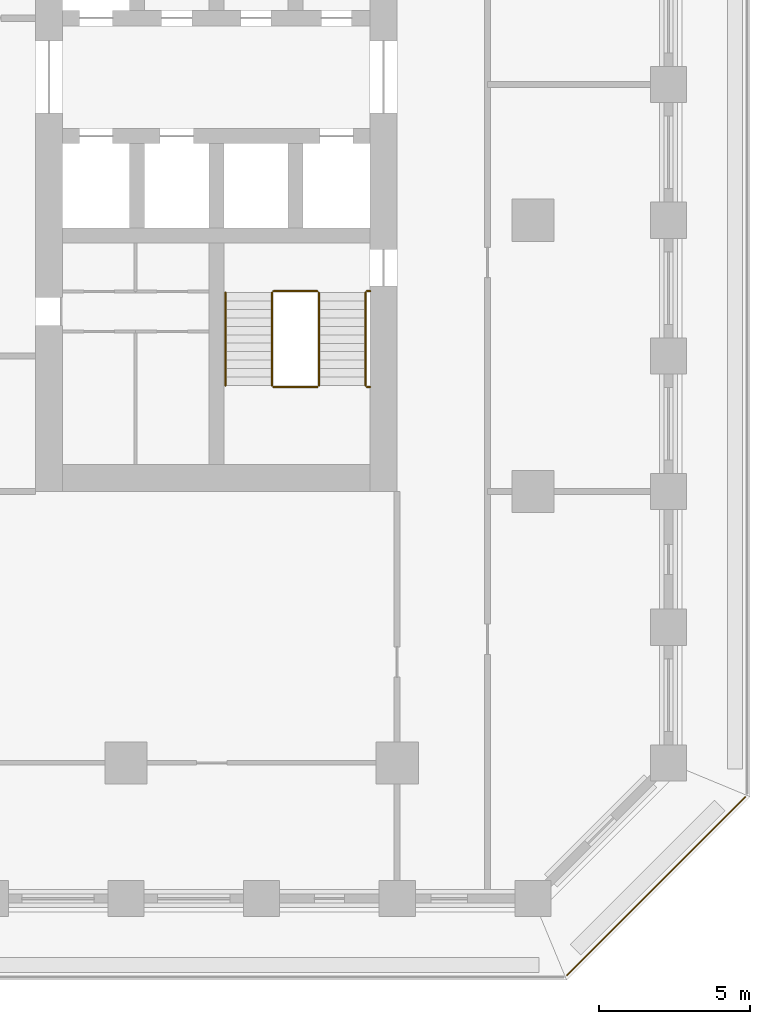
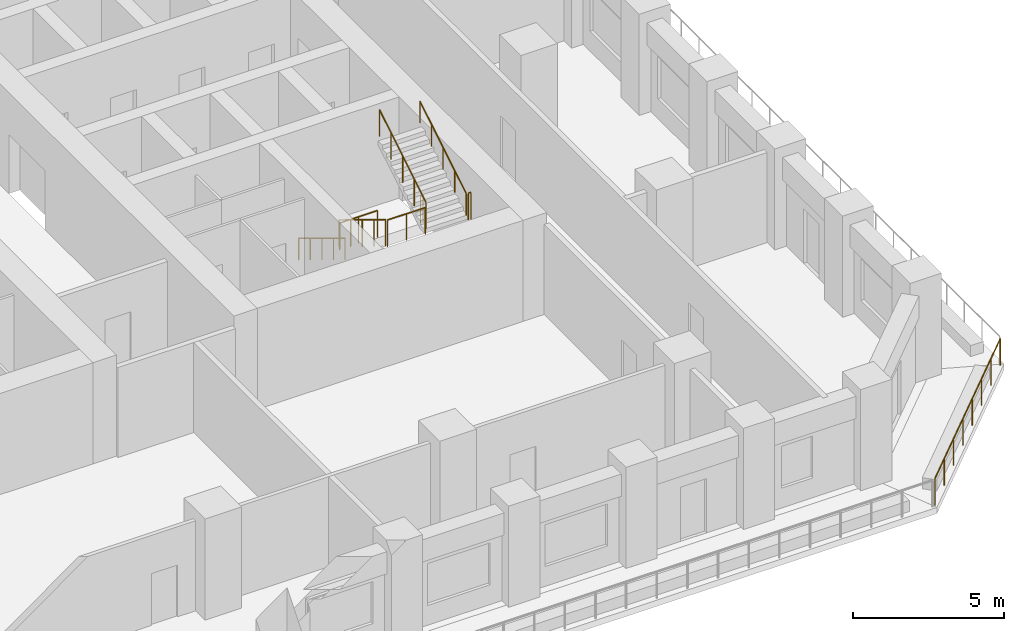
# One storey, part 11 of 16: 9 railings.
"""IFC4 building model written with IfcOpenShell, lengths in metres."""

from ifc_helpers import new_model, si_unit, direction, frame, origin, origin_2d, place, context, subcontext, project, spatial, circle, extrude, material, type_object, element, save


model = new_model("IFC4")

# Units and contexts
model_context = context("Model", 3, precision=1e-05, world=origin(), true_north=direction((0.0, 1.0)))
body_context = subcontext(model_context, "Body", "Model", "MODEL_VIEW")
ifc_project = project(units=[si_unit("LENGTHUNIT", "METRE"), si_unit("AREAUNIT", "SQUARE_METRE"), si_unit("VOLUMEUNIT", "CUBIC_METRE"), si_unit("PLANEANGLEUNIT", "RADIAN"), si_unit("MASSUNIT", "GRAM", prefix="KILO")], contexts=[model_context])

# Site, building, storey
site_placement = place(None, origin())
site = spatial("IfcSite", under=ifc_project, at=site_placement, CompositionType="ELEMENT")
building_placement = place(site_placement, origin())
building = spatial("IfcBuilding", under=site, at=building_placement, Name="Corbel Stack Research Tower", CompositionType="ELEMENT")
storey_placement = place(building_placement, frame((0.0, 0.0, 137.199951171875)))
storey = spatial("IfcBuildingStorey", under=building, at=storey_placement, Name="L31", CompositionType="ELEMENT", Elevation=137.199951171875)

# Railings
ifc_material_1 = material(Name="Steel S355", Category="steel")
railing_type_1 = type_object("IfcRailingType", Name="Stair guard 1100", PredefinedType="GUARDRAIL", material=ifc_material_1)
railing_1_placement = place(storey_placement, frame((13.85009765625, -2.39990234375, 0.1708984375)))
element("IfcRailing", 1, at=railing_1_placement, inside=storey, type_object=railing_type_1, Name="L31 ST-E1 stair guard 1", PredefinedType="GUARDRAIL", context=body_context, shape_type="SweptSolid", body=[
    extrude(circle(Radius=0.02392578125, at=origin_2d()), frame((0.0, 0.0, 1.076171875), z_axis=(0.0, -0.853666305674, 0.52082035152), x_axis=(1.0, 0.0, 0.0)), (0.0, 0.0, 1.0), 3.608154296875),
    extrude(circle(Radius=0.02099609375, at=origin_2d()), origin(), (0.0, 0.0, 1.0), 1.052001953125),
    extrude(circle(Radius=0.02099609375, at=origin_2d()), frame((0.0, -0.77001953125, 0.4697265625)), (0.0, 0.0, 1.0), 1.052001953125),
    extrude(circle(Radius=0.02099609375, at=origin_2d()), frame((0.0, -1.5400390625, 0.939453125)), (0.0, 0.0, 1.0), 1.052001953125),
    extrude(circle(Radius=0.02099609375, at=origin_2d()), frame((0.0, -2.31005859375, 1.409423828125)), (0.0, 0.0, 1.0), 1.052001953125),
    extrude(circle(Radius=0.02099609375, at=origin_2d()), frame((0.0, -3.080078125, 1.879150390625)), (0.0, 0.0, 1.0), 1.052001953125),
])
railing_2_placement = place(storey_placement, frame((13.89990234375, -5.530029296875, 2.050048828125)))
element("IfcRailing", 2, at=railing_2_placement, inside=storey, type_object=railing_type_1, Name="L31 ST-E1 stair guard 2", PredefinedType="GUARDRAIL", context=body_context, shape_type="SweptSolid", body=[
    extrude(circle(Radius=0.02392578125, at=origin_2d()), frame((0.0, 0.0, 1.076171875), z_axis=(1.0, 0.0, 0.0), x_axis=(0.0, 1.0, 0.0)), (0.0, 0.0, 1.0), 1.4501953125),
    extrude(circle(Radius=0.02099609375, at=origin_2d()), origin(), (0.0, 0.0, 1.0), 1.052001953125),
    extrude(circle(Radius=0.02099609375, at=origin_2d()), frame((0.72509765625, 0.0, 0.0)), (0.0, 0.0, 1.0), 1.052001953125),
    extrude(circle(Radius=0.02099609375, at=origin_2d()), frame((1.4501953125, 0.0, 0.0)), (0.0, 0.0, 1.0), 1.052001953125),
])
railing_3_placement = place(storey_placement, frame((17.0, -5.530029296875, 2.050048828125)))
element("IfcRailing", 3, at=railing_3_placement, inside=storey, type_object=railing_type_1, Name="L31 ST-E1 stair guard 3", PredefinedType="GUARDRAIL", context=body_context, shape_type="SweptSolid", body=[
    extrude(circle(Radius=0.02392578125, at=origin_2d()), frame((0.0, 0.0, 1.076171875), z_axis=(1.0, 0.0, 0.0), x_axis=(0.0, 1.0, 0.0)), (0.0, 0.0, 1.0), 0.10009765625),
    extrude(circle(Radius=0.02099609375, at=origin_2d()), origin(), (0.0, 0.0, 1.0), 1.052001953125),
    extrude(circle(Radius=0.02099609375, at=origin_2d()), frame((0.10009765625, 0.0, 0.0)), (0.0, 0.0, 1.0), 1.052001953125),
])
railing_4_placement = place(storey_placement, frame((15.39990234375, -5.47998046875, 2.220947265625)))
element("IfcRailing", 4, at=railing_4_placement, inside=storey, type_object=railing_type_1, Name="L31 ST-E1 stair guard 4", PredefinedType="GUARDRAIL", context=body_context, shape_type="SweptSolid", body=[
    extrude(circle(Radius=0.02392578125, at=origin_2d()), frame((0.0, 0.0, 1.076171875), z_axis=(0.0, 0.853666305674, 0.52082035152), x_axis=(-1.0, 0.0, 0.0)), (0.0, 0.0, 1.0), 3.608154296875),
    extrude(circle(Radius=0.02099609375, at=origin_2d()), origin(), (0.0, 0.0, 1.0), 1.052001953125),
    extrude(circle(Radius=0.02099609375, at=origin_2d()), frame((0.0, 0.77001953125, 0.4697265625)), (0.0, 0.0, 1.0), 1.052001953125),
    extrude(circle(Radius=0.02099609375, at=origin_2d()), frame((0.0, 1.5400390625, 0.939453125)), (0.0, 0.0, 1.0), 1.052001953125),
    extrude(circle(Radius=0.02099609375, at=origin_2d()), frame((0.0, 2.31005859375, 1.409423828125)), (0.0, 0.0, 1.0), 1.052001953125),
    extrude(circle(Radius=0.02099609375, at=origin_2d()), frame((0.0, 3.080078125, 1.879150390625)), (0.0, 0.0, 1.0), 1.052001953125),
])
railing_5_placement = place(storey_placement, frame((13.89990234375, -2.35009765625, 0.0)))
element("IfcRailing", 5, at=railing_5_placement, inside=storey, type_object=railing_type_1, Name="L31 ST-E1 stair guard 5", PredefinedType="GUARDRAIL", context=body_context, shape_type="SweptSolid", body=[
    extrude(circle(Radius=0.02392578125, at=origin_2d()), frame((0.0, 0.0, 1.076171875), z_axis=(1.0, 0.0, 0.0), x_axis=(0.0, 1.0, 0.0)), (0.0, 0.0, 1.0), 1.4501953125),
    extrude(circle(Radius=0.02099609375, at=origin_2d()), origin(), (0.0, 0.0, 1.0), 1.052001953125),
    extrude(circle(Radius=0.02099609375, at=origin_2d()), frame((0.72509765625, 0.0, 0.0)), (0.0, 0.0, 1.0), 1.052001953125),
    extrude(circle(Radius=0.02099609375, at=origin_2d()), frame((1.4501953125, 0.0, 0.0)), (0.0, 0.0, 1.0), 1.052001953125),
])
railing_6_placement = place(storey_placement, frame((17.0, -2.35009765625, 0.0)))
element("IfcRailing", 6, at=railing_6_placement, inside=storey, type_object=railing_type_1, Name="L31 ST-E1 stair guard 6", PredefinedType="GUARDRAIL", context=body_context, shape_type="SweptSolid", body=[
    extrude(circle(Radius=0.02392578125, at=origin_2d()), frame((0.0, 0.0, 1.076171875), z_axis=(1.0, 0.0, 0.0), x_axis=(0.0, 1.0, 0.0)), (0.0, 0.0, 1.0), 0.10009765625),
    extrude(circle(Radius=0.02099609375, at=origin_2d()), origin(), (0.0, 0.0, 1.0), 1.052001953125),
    extrude(circle(Radius=0.02099609375, at=origin_2d()), frame((0.10009765625, 0.0, 0.0)), (0.0, 0.0, 1.0), 1.052001953125),
])
ifc_material_2 = material(Name="Steel S355", Category="steel")
railing_type_2 = type_object("IfcRailingType", Name="Stair handrail 900", PredefinedType="HANDRAIL", material=ifc_material_2)
railing_7_placement = place(storey_placement, frame((12.300048828125, -2.39990234375, 0.1708984375)))
element("IfcRailing", 7, at=railing_7_placement, inside=storey, type_object=railing_type_2, Name="L31 ST-E1 stair handrail 1", PredefinedType="HANDRAIL", context=body_context, shape_type="SweptSolid", body=[
    extrude(circle(Radius=0.02392578125, at=origin_2d()), frame((0.0, 0.0, 0.8759765625), z_axis=(0.0, -0.853666305674, 0.52082035152), x_axis=(1.0, 0.0, 0.0)), (0.0, 0.0, 1.0), 3.608154296875),
    extrude(circle(Radius=0.02099609375, at=origin_2d()), origin(), (0.0, 0.0, 1.0), 0.851806640625),
    extrude(circle(Radius=0.02099609375, at=origin_2d()), frame((0.0, -0.77001953125, 0.4697265625)), (0.0, 0.0, 1.0), 0.851806640625),
    extrude(circle(Radius=0.02099609375, at=origin_2d()), frame((0.0, -1.5400390625, 0.939453125)), (0.0, 0.0, 1.0), 0.851806640625),
    extrude(circle(Radius=0.02099609375, at=origin_2d()), frame((0.0, -2.31005859375, 1.409423828125)), (0.0, 0.0, 1.0), 0.851806640625),
    extrude(circle(Radius=0.02099609375, at=origin_2d()), frame((0.0, -3.080078125, 1.879150390625)), (0.0, 0.0, 1.0), 0.851806640625),
])
railing_8_placement = place(storey_placement, frame((16.949951171875, -5.47998046875, 2.220947265625)))
element("IfcRailing", 8, at=railing_8_placement, inside=storey, type_object=railing_type_2, Name="L31 ST-E1 stair handrail 2", PredefinedType="HANDRAIL", context=body_context, shape_type="SweptSolid", body=[
    extrude(circle(Radius=0.02392578125, at=origin_2d()), frame((0.0, 0.0, 0.8759765625), z_axis=(0.0, 0.853666305674, 0.52082035152), x_axis=(-1.0, 0.0, 0.0)), (0.0, 0.0, 1.0), 3.608154296875),
    extrude(circle(Radius=0.02099609375, at=origin_2d()), origin(), (0.0, 0.0, 1.0), 0.851806640625),
    extrude(circle(Radius=0.02099609375, at=origin_2d()), frame((0.0, 0.77001953125, 0.4697265625)), (0.0, 0.0, 1.0), 0.851806640625),
    extrude(circle(Radius=0.02099609375, at=origin_2d()), frame((0.0, 1.5400390625, 0.939453125)), (0.0, 0.0, 1.0), 0.851806640625),
    extrude(circle(Radius=0.02099609375, at=origin_2d()), frame((0.0, 2.31005859375, 1.409423828125)), (0.0, 0.0, 1.0), 0.851806640625),
    extrude(circle(Radius=0.02099609375, at=origin_2d()), frame((0.0, 3.080078125, 1.879150390625)), (0.0, 0.0, 1.0), 0.851806640625),
])
ifc_material_3 = material(Name="Powder-coated steel guard", Category="steel")
railing_type_3 = type_object("IfcRailingType", Name="Steel and glass guard 1100", PredefinedType="GUARDRAIL", material=ifc_material_3)
railing_9_placement = place(storey_placement, frame((23.627685546875, -25.04931640625, 0.0)))
element("IfcRailing", 9, at=railing_9_placement, inside=storey, type_object=railing_type_3, Name="Loggia guard L31 SE", PredefinedType="GUARDRAIL", context=body_context, shape_type="SweptSolid", body=[
    extrude(circle(Radius=0.02392578125, at=origin_2d()), frame((0.0, 0.0, 1.076171875), z_axis=(0.707106781187, 0.707106781187, 0.0), x_axis=(-0.707106781187, 0.707106781187, 0.0)), (0.0, 0.0, 1.0), 8.37451171875),
    extrude(circle(Radius=0.02099609375, at=origin_2d()), origin(), (0.0, 0.0, 1.0), 1.052001953125),
    extrude(circle(Radius=0.02099609375, at=origin_2d()), frame((0.845947265625, 0.845947265625, 0.0)), (0.0, 0.0, 1.0), 1.052001953125),
    extrude(circle(Radius=0.02099609375, at=origin_2d()), frame((1.69189453125, 1.69189453125, 0.0)), (0.0, 0.0, 1.0), 1.052001953125),
    extrude(circle(Radius=0.02099609375, at=origin_2d()), frame((2.537841796875, 2.537841796875, 0.0)), (0.0, 0.0, 1.0), 1.052001953125),
    extrude(circle(Radius=0.02099609375, at=origin_2d()), frame((3.3837890625, 3.3837890625, 0.0)), (0.0, 0.0, 1.0), 1.052001953125),
    extrude(circle(Radius=0.02099609375, at=origin_2d()), frame((4.229736328125, 4.229736328125, 0.0)), (0.0, 0.0, 1.0), 1.052001953125),
    extrude(circle(Radius=0.02099609375, at=origin_2d()), frame((5.07568359375, 5.07568359375, 0.0)), (0.0, 0.0, 1.0), 1.052001953125),
    extrude(circle(Radius=0.02099609375, at=origin_2d()), frame((5.921630859375, 5.921630859375, 0.0)), (0.0, 0.0, 1.0), 1.052001953125),
])

save(model, "model.ifc")
